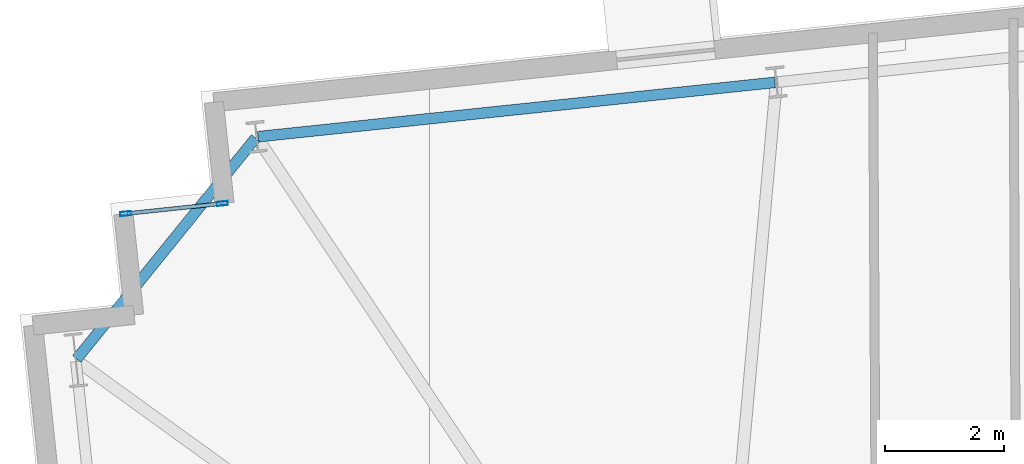
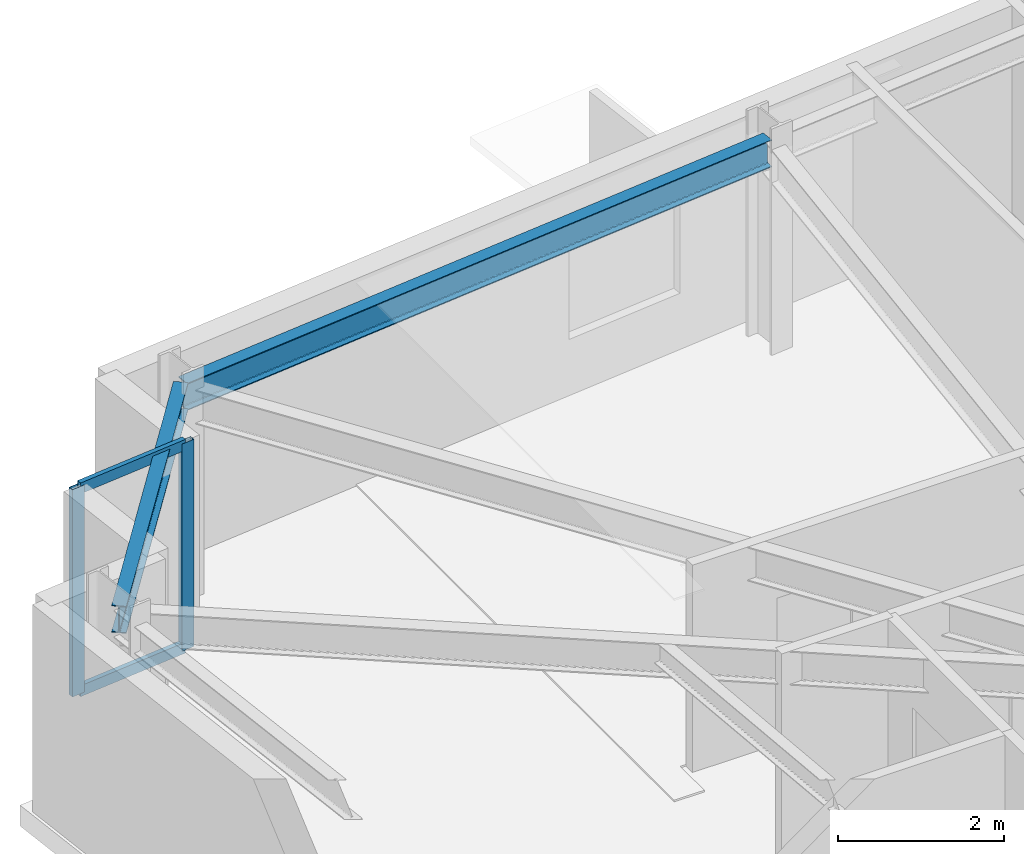
# One storey, part 8 of 19: 4 members, 2 beams, 1 element without a shape of its own.
"""IFC4 building model written with IfcOpenShell, lengths in metres."""

from ifc_helpers import new_model, si_unit, direction, frame, origin, origin_2d, place, context, subcontext, project, spatial, hollow_rectangle, i_section, extrude, material, layer, layer_set, material_profile, profile_set, type_object, element, aggregate, save


model = new_model("IFC4")

# Units and contexts
model_context = context("Model", 3, precision=1e-05, world=origin(), true_north=direction((0.0, 1.0)))
body_context = subcontext(model_context, "Body", "Model", "MODEL_VIEW")
ifc_project = project(units=[si_unit("LENGTHUNIT", "METRE"), si_unit("AREAUNIT", "SQUARE_METRE"), si_unit("VOLUMEUNIT", "CUBIC_METRE"), si_unit("PLANEANGLEUNIT", "RADIAN"), si_unit("MASSUNIT", "GRAM", prefix="KILO")], contexts=[model_context])

# Site, building, storey
site_placement = place(None, origin())
site = spatial("IfcSite", under=ifc_project, at=site_placement, CompositionType="ELEMENT")
building_placement = place(site_placement, origin())
building = spatial("IfcBuilding", under=site, at=building_placement, Name="Qobustan Lattice House", CompositionType="ELEMENT")
storey_placement = place(building_placement, frame((0.0, 0.0, 82.35009765625)))
storey = spatial("IfcBuildingStorey", under=building, at=storey_placement, Name="L22", CompositionType="ELEMENT", Elevation=82.35009765625)

# Beams
ifc_material_1 = material(Name="Steel S355", Category="steel")
ifc_material_profile_1 = material_profile(ifc_material_1, i_section(OverallWidth=0.179931640625, OverallDepth=0.39990234375, WebThickness=0.008544921875, FlangeThickness=0.013427734375, FilletRadius=0.02099609375, at=origin_2d()), Name="IPE400")
ifc_profile_set_1 = profile_set([ifc_material_profile_1], Name="Steel S355")
beam_type = type_object("IfcBeamType", Name="BM-SPD-IPE400", PredefinedType="SPANDREL", material=ifc_profile_set_1)
beam_1_placement = place(storey_placement, frame((-17.7158203125, 17.919189453125, 2.844970703125), z_axis=(-0.994521279781, -0.10453432002, 0.0), x_axis=(0.10453432002, -0.994521279781, 0.0)))
element("IfcBeam", 1, at=beam_1_placement, inside=storey, type_object=beam_type, Name="L22 perimeter spandrel N6-N7", PredefinedType="SPANDREL", context=body_context, shape_type="SweptSolid", body=[
    extrude(i_section(OverallWidth=0.179931640625, OverallDepth=0.39990234375, WebThickness=0.008544921875, FlangeThickness=0.013427734375, FilletRadius=0.02099609375, at=origin_2d()), origin(), (0.0, 0.0, 1.0), 8.69970703125),
])
beam_2_placement = place(storey_placement, frame((-26.40869140625, 16.98779296875, 2.844970703125), z_axis=(-0.629326627121, -0.777140911545, 0.0), x_axis=(0.777140911545, -0.629326627121, 0.0)))
element("IfcBeam", 2, at=beam_2_placement, inside=storey, type_object=beam_type, Name="L22 perimeter spandrel N7-W1", PredefinedType="SPANDREL", context=body_context, shape_type="SweptSolid", body=[
    extrude(i_section(OverallWidth=0.179931640625, OverallDepth=0.39990234375, WebThickness=0.008544921875, FlangeThickness=0.013427734375, FilletRadius=0.02099609375, at=origin_2d()), origin(), (0.0, 0.0, 1.0), 4.758544921875),
])

# Curtain wall, members
ifc_material_2 = material(Name="Anodised aluminium and low-E glazing", Category="aluminium")
ifc_layer = layer(ifc_material_2, 0.219970703125)
ifc_layer_set = layer_set([ifc_layer], Name="Anodised aluminium and low-E glazing")
curtain_wall_type = type_object("IfcCurtainWallType", Name="CW-FAC-01", PredefinedType="USERDEFINED", material=ifc_layer_set)
curtain_wall_placement = place(storey_placement, origin())
curtain_wall = element("IfcCurtainWall", 3, at=curtain_wall_placement, inside=storey, type_object=curtain_wall_type, Name="L22 serrated corner faceted glazing 8", ObjectType="CURTAIN WALL", PredefinedType="USERDEFINED")
ifc_material_3 = material(Name="Anodised aluminium EN AW-6063 T6", Category="aluminium")
ifc_material_profile_2 = material_profile(ifc_material_3, hollow_rectangle(XDim=0.070068359375, YDim=0.179931640625, WallThickness=0.00439453125, at=origin_2d()), Name="CWM-180x70")
ifc_profile_set_2 = profile_set([ifc_material_profile_2], Name="Anodised aluminium EN AW-6063 T6")
member_type_1 = type_object("IfcMemberType", Name="CWM-STD-180", PredefinedType="MULLION", material=ifc_profile_set_2)
member_1_placement = place(storey_placement, frame((-28.58544921875, 15.720947265625, 0.0), z_axis=(0.0, 0.0, 1.0), x_axis=(-0.104528620025, 0.994521878892, 0.0)))
member_1 = element("IfcMember", 4, at=member_1_placement, type_object=member_type_1, Name="CW-F1 mullion 1", PredefinedType="MULLION", context=body_context, shape_type="SweptSolid", body=[
    extrude(hollow_rectangle(XDim=0.070068359375, YDim=0.179931640625, WallThickness=0.00439453125, at=origin_2d()), origin(), (0.0, 0.0, 1.0), 3.044921875),
])
member_2_placement = place(storey_placement, frame((-26.96435546875, 15.891357421875, 0.0), z_axis=(0.0, 0.0, 1.0), x_axis=(-0.104528620025, 0.994521878892, 0.0)))
member_2 = element("IfcMember", 5, at=member_2_placement, type_object=member_type_1, Name="CW-F1 mullion 2", PredefinedType="MULLION", context=body_context, shape_type="SweptSolid", body=[
    extrude(hollow_rectangle(XDim=0.070068359375, YDim=0.179931640625, WallThickness=0.00439453125, at=origin_2d()), origin(), (0.0, 0.0, 1.0), 3.044921875),
])
ifc_material_4 = material(Name="Anodised aluminium EN AW-6063 T6", Category="aluminium")
ifc_material_profile_3 = material_profile(ifc_material_4, hollow_rectangle(XDim=0.06494140625, YDim=0.159912109375, WallThickness=0.00390625, at=origin_2d()), Name="CWT-160x65")
ifc_profile_set_3 = profile_set([ifc_material_profile_3], Name="Anodised aluminium EN AW-6063 T6")
member_type_2 = type_object("IfcMemberType", Name="CWT-HOR-160", PredefinedType="USERDEFINED", material=ifc_profile_set_3)
member_3_placement = place(storey_placement, frame((-28.55078125, 15.724609375, 0.032470703125), z_axis=(0.994520877159, 0.104538150424, 0.0), x_axis=(-0.104538150424, 0.994520877159, 0.0)))
member_3 = element("IfcMember", 6, at=member_3_placement, type_object=member_type_2, Name="CW-F1 transom 1.1", ObjectType="TRANSOM", PredefinedType="USERDEFINED", context=body_context, shape_type="SweptSolid", body=[
    extrude(hollow_rectangle(XDim=0.06494140625, YDim=0.159912109375, WallThickness=0.00390625, at=origin_2d()), origin(), (0.0, 0.0, 1.0), 1.56005859375),
])
member_4_placement = place(storey_placement, frame((-28.55078125, 15.724609375, 3.012451171875), z_axis=(0.994520877159, 0.104538150424, 0.0), x_axis=(-0.104538150424, 0.994520877159, 0.0)))
member_4 = element("IfcMember", 7, at=member_4_placement, type_object=member_type_2, Name="CW-F1 transom 1.2", ObjectType="TRANSOM", PredefinedType="USERDEFINED", context=body_context, shape_type="SweptSolid", body=[
    extrude(hollow_rectangle(XDim=0.06494140625, YDim=0.159912109375, WallThickness=0.00390625, at=origin_2d()), origin(), (0.0, 0.0, 1.0), 1.56005859375),
])
aggregate(curtain_wall, [member_1, member_2, member_3, member_4])

save(model, "model.ifc")
